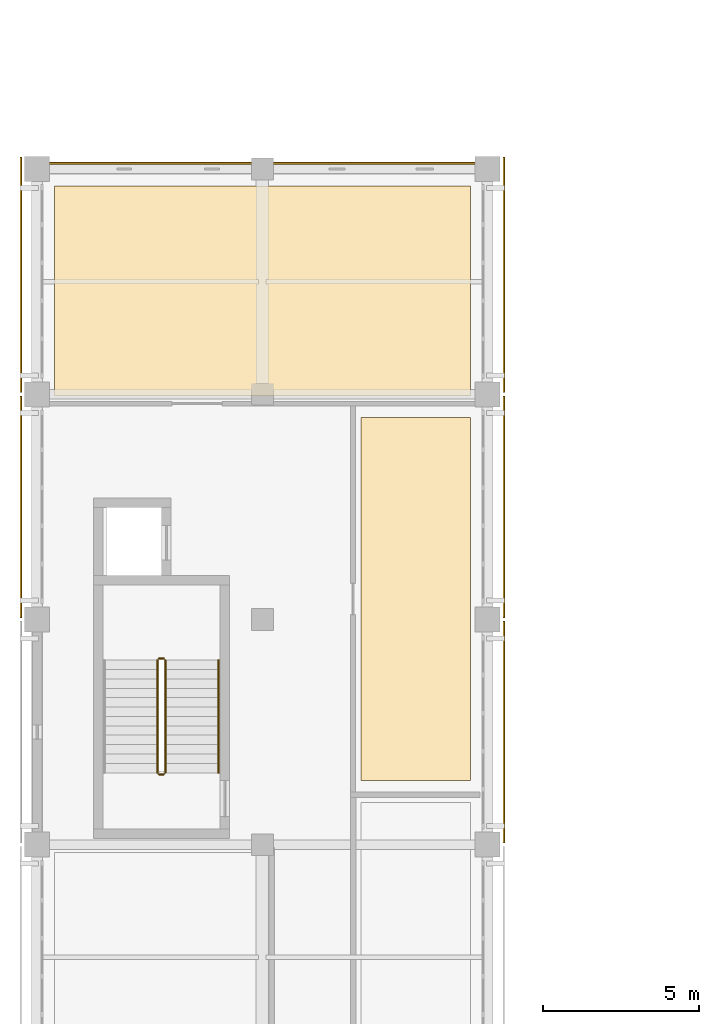
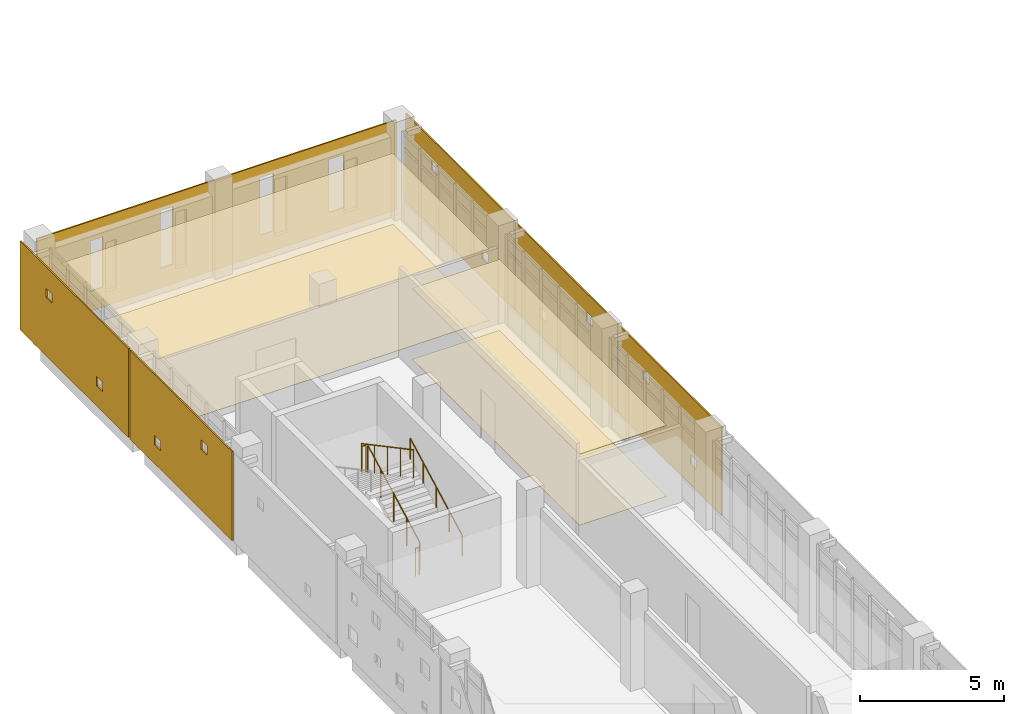
# One storey, part 30 of 33: 10 coverings, 5 railings.
"""IFC4 building model written with IfcOpenShell, lengths in metres."""

from ifc_helpers import new_model, si_unit, direction, frame, origin, origin_2d, place, context, subcontext, project, spatial, polyline, circle, outline, extrude, material, layer, layer_set, type_object, element, save


model = new_model("IFC4")

# Units and contexts
model_context = context("Model", 3, precision=1e-05, world=origin(), true_north=direction((0.0, 1.0)))
body_context = subcontext(model_context, "Body", "Model", "MODEL_VIEW")
ifc_project = project(units=[si_unit("LENGTHUNIT", "METRE"), si_unit("AREAUNIT", "SQUARE_METRE"), si_unit("VOLUMEUNIT", "CUBIC_METRE"), si_unit("PLANEANGLEUNIT", "RADIAN"), si_unit("MASSUNIT", "GRAM", prefix="KILO")], contexts=[model_context])

# Site, building, storey
site_placement = place(None, origin())
site = spatial("IfcSite", under=ifc_project, at=site_placement, CompositionType="ELEMENT")
building_placement = place(site_placement, origin())
building = spatial("IfcBuilding", under=site, at=building_placement, Name="Valkovuoma Quantum and Materials Research Institute", CompositionType="ELEMENT")
storey_placement = place(building_placement, frame((0.0, 0.0, 21.43994140625)))
storey = spatial("IfcBuildingStorey", under=building, at=storey_placement, Name="L05", CompositionType="ELEMENT", Elevation=21.43994140625)

# Coverings
ifc_material_1 = material(Name="Cleanable acoustic mineral-fibre suspended ceiling", Category="masonry")
ifc_layer_1 = layer(ifc_material_1, 0.02490234375)
ifc_layer_set_1 = layer_set([ifc_layer_1], Name="Cleanable acoustic mineral-fibre suspended ceiling")
covering_type_1 = type_object("IfcCoveringType", Name="Cov-CEIL-01", PredefinedType="CEILING", material=ifc_layer_set_1)
covering_1_placement = place(storey_placement, frame((0.0, 0.0, 3.0)))
element("IfcCovering", 1, at=covering_1_placement, inside=storey, type_object=covering_type_1, Name="L05 acoustic ceiling 0122", PredefinedType="CEILING", context=body_context, shape_type="SweptSolid", body=[
    extrude(outline(polyline([(0.550048828125, 86.35009765625), (13.85009765625, 86.35009765625), (13.85009765625, 93.050048828125), (0.550048828125, 93.050048828125), (0.550048828125, 86.35009765625)])), origin(), (0.0, 0.0, 1.0), 0.025146484375),
])
covering_2_placement = place(storey_placement, frame((0.0, 0.0, 3.0)))
element("IfcCovering", 2, at=covering_2_placement, inside=storey, type_object=covering_type_1, Name="L05 acoustic ceiling 0126", PredefinedType="CEILING", context=body_context, shape_type="SweptSolid", body=[
    extrude(outline(polyline([(10.35009765625, 74.050048828125), (13.85009765625, 74.050048828125), (13.85009765625, 85.64990234375), (10.35009765625, 85.64990234375), (10.35009765625, 74.050048828125)])), origin(), (0.0, 0.0, 1.0), 0.025146484375),
])
ifc_material_2 = material(Name="Seamless dissipative laboratory resin flooring", Category="masonry")
ifc_layer_2 = layer(ifc_material_2, 0.014892578125)
ifc_layer_set_2 = layer_set([ifc_layer_2], Name="Seamless dissipative laboratory resin flooring")
covering_type_2 = type_object("IfcCoveringType", Name="Cov-FLOR-01", PredefinedType="FLOORING", material=ifc_layer_set_2)
covering_3_placement = place(storey_placement, origin())
element("IfcCovering", 3, at=covering_3_placement, inside=storey, type_object=covering_type_2, Name="L05 resin flooring 0122", PredefinedType="FLOORING", context=body_context, shape_type="SweptSolid", body=[
    extrude(outline(polyline([(0.550048828125, 86.35009765625), (13.85009765625, 86.35009765625), (13.85009765625, 93.050048828125), (0.550048828125, 93.050048828125), (0.550048828125, 86.35009765625)])), origin(), (0.0, 0.0, 1.0), 0.01513671875),
])
covering_4_placement = place(storey_placement, origin())
element("IfcCovering", 4, at=covering_4_placement, inside=storey, type_object=covering_type_2, Name="L05 resin flooring 0126", PredefinedType="FLOORING", context=body_context, shape_type="SweptSolid", body=[
    extrude(outline(polyline([(10.35009765625, 74.050048828125), (13.85009765625, 74.050048828125), (13.85009765625, 85.64990234375), (10.35009765625, 85.64990234375), (10.35009765625, 74.050048828125)])), origin(), (0.0, 0.0, 1.0), 0.01513671875),
])
ifc_material_3 = material(Name="White powder-coated aluminium architectural panel", Category="aluminium")
ifc_layer_3 = layer(ifc_material_3, 0.054931640625)
ifc_layer_set_3 = layer_set([ifc_layer_3], Name="White powder-coated aluminium architectural panel")
covering_type_3 = type_object("IfcCoveringType", Name="Cov-PERF-SPARSE", PredefinedType="CLADDING", material=ifc_layer_set_3)
covering_5_placement = place(storey_placement, frame((14.919921875, 72.06005859375, 0.02001953125), z_axis=(0.0, 0.0, 1.0), x_axis=(0.0, 1.0, 0.0)))
element("IfcCovering", 5, at=covering_5_placement, inside=storey, type_object=covering_type_3, Name="L05 graduated perforated white screen E-0071", PredefinedType="CLADDING", context=body_context, shape_type="SweptSolid", body=[
    extrude(outline(polyline([(0.0, 0.0), (7.079833984375, 0.0), (7.079833984375, 3.77001953125), (0.0, 3.77001953125), (0.0, 0.0)]), holes=[polyline([(1.7548828125, 0.902587890625), (1.7548828125, 1.302490234375), (2.155029296875, 1.302490234375), (2.155029296875, 0.902587890625), (1.7548828125, 0.902587890625)]), polyline([(5.044921875, 2.517578125), (5.044921875, 2.91748046875), (5.445068359375, 2.91748046875), (5.445068359375, 2.517578125), (5.044921875, 2.517578125)])]), frame((0.0, 0.02734375, 0.0), z_axis=(0.0, -1.0, 0.0), x_axis=(1.0, 0.0, 0.0)), (0.0, 0.0, 1.0), 0.054931640625),
])
for number, where, z_axis, x_axis, name in (
    (6, (-0.52001953125, 79.260009765625, 0.02001953125), (0.0, 0.0, 1.0), (0.0, 1.0, 0.0), "L05 graduated perforated white screen W-0072"),
    (7, (14.919921875, 79.260009765625, 0.02001953125), (0.0, 0.0, 1.0), (0.0, 1.0, 0.0), "L05 graduated perforated white screen E-0073"),
):
    element("IfcCovering", number, at=place(storey_placement, frame(where, z_axis=z_axis, x_axis=x_axis)), inside=storey, type_object=covering_type_3, Name=name, PredefinedType="CLADDING", context=body_context, shape_type="SweptSolid", body=[
        extrude(outline(polyline([(0.0, 0.0), (7.080078125, 0.0), (7.080078125, 3.77001953125), (0.0, 3.77001953125), (0.0, 0.0)]), holes=[polyline([(1.7548828125, 2.5673828125), (1.7548828125, 2.967529296875), (2.155029296875, 2.967529296875), (2.155029296875, 2.5673828125), (1.7548828125, 2.5673828125)]), polyline([(4.985107421875, 0.802490234375), (4.985107421875, 1.202392578125), (5.385009765625, 1.202392578125), (5.385009765625, 0.802490234375), (4.985107421875, 0.802490234375)])]), frame((0.0, 0.02734375, 0.0), z_axis=(0.0, -1.0, 0.0), x_axis=(1.0, 0.0, 0.0)), (0.0, 0.0, 1.0), 0.054931640625),
    ])
for number, where, z_axis, x_axis, name in (
    (8, (-0.52001953125, 86.4599609375, 0.02001953125), (0.0, 0.0, 1.0), (0.0, 1.0, 0.0), "L05 graduated perforated white screen W-0074"),
    (9, (14.919921875, 86.4599609375, 0.02001953125), (0.0, 0.0, 1.0), (0.0, 1.0, 0.0), "L05 graduated perforated white screen E-0075"),
):
    element("IfcCovering", number, at=place(storey_placement, frame(where, z_axis=z_axis, x_axis=x_axis)), inside=storey, type_object=covering_type_3, Name=name, PredefinedType="CLADDING", context=body_context, shape_type="SweptSolid", body=[
        extrude(outline(polyline([(0.0, 0.0), (7.52001953125, 0.0), (7.52001953125, 3.77001953125), (0.0, 3.77001953125), (0.0, 0.0)]), holes=[polyline([(1.804931640625, 0.8525390625), (1.804931640625, 1.25244140625), (2.205078125, 1.25244140625), (2.205078125, 0.8525390625), (1.804931640625, 0.8525390625)]), polyline([(5.31494140625, 2.467529296875), (5.31494140625, 2.867431640625), (5.715087890625, 2.867431640625), (5.715087890625, 2.467529296875), (5.31494140625, 2.467529296875)])]), frame((0.0, 0.02734375, 0.0), z_axis=(0.0, -1.0, 0.0), x_axis=(1.0, 0.0, 0.0)), (0.0, 0.0, 1.0), 0.054931640625),
    ])
ifc_material_4 = material(Name="White powder-coated aluminium architectural panel", Category="aluminium")
ifc_layer_4 = layer(ifc_material_4, 0.054931640625)
ifc_layer_set_4 = layer_set([ifc_layer_4], Name="White powder-coated aluminium architectural panel")
covering_type_4 = type_object("IfcCoveringType", Name="Cov-WHITE-01", PredefinedType="CLADDING", material=ifc_layer_set_4)
covering_6_placement = place(storey_placement, frame((0.0, 93.78759765625, 0.0), z_axis=(0.0, 0.0, 1.0), x_axis=(1.0, 0.0, 0.0)))
element("IfcCovering", 10, at=covering_6_placement, inside=storey, type_object=covering_type_4, Name="L05 north white slot-window end skin", PredefinedType="CLADDING", context=body_context, shape_type="SweptSolid", body=[
    extrude(outline(polyline([(0.0, 0.0), (14.39990234375, 0.0), (14.39990234375, 3.81005859375), (0.0, 3.81005859375), (0.0, 0.0)]), holes=[polyline([(2.155029296875, 0.830078125), (2.155029296875, 2.969970703125), (2.64501953125, 2.969970703125), (2.64501953125, 0.830078125), (2.155029296875, 0.830078125)]), polyline([(4.955078125, 0.830078125), (4.955078125, 3.27001953125), (5.445068359375, 3.27001953125), (5.445068359375, 0.830078125), (4.955078125, 0.830078125)]), polyline([(8.929931640625, 0.830078125), (8.929931640625, 3.27001953125), (9.469970703125, 3.27001953125), (9.469970703125, 0.830078125), (8.929931640625, 0.830078125)]), polyline([(11.705078125, 0.830078125), (11.705078125, 3.070068359375), (12.294921875, 3.070068359375), (12.294921875, 0.830078125), (11.705078125, 0.830078125)])]), frame((0.0, 0.02734375, 0.0), z_axis=(0.0, -1.0, 0.0), x_axis=(1.0, 0.0, 0.0)), (0.0, 0.0, 1.0), 0.054931640625),
])

# Railings
ifc_material_5 = material(Name="Painted steel stair balustrade", Category="steel")
railing_type_1 = type_object("IfcRailingType", Name="Rail-GRD-ST", PredefinedType="BALUSTRADE", material=ifc_material_5)
railing_1_placement = place(storey_placement, frame((4.10009765625, 74.300048828125, 0.16015625)))
element("IfcRailing", 11, at=railing_1_placement, inside=storey, type_object=railing_type_1, Name="L05 ST-2 stair guard 1", PredefinedType="BALUSTRADE", context=body_context, shape_type="SweptSolid", body=[
    extrude(circle(Radius=0.02392578125, at=origin_2d()), frame((0.0, 0.0, 1.17578125), z_axis=(0.0, 0.882352941176, 0.470588235294), x_axis=(-1.0, 0.0, 0.0)), (0.0, 0.0, 1.0), 4.079833984375),
    extrude(circle(Radius=0.02099609375, at=origin_2d()), origin(), (0.0, 0.0, 1.0), 1.15185546875),
    extrude(circle(Radius=0.02099609375, at=origin_2d()), frame((0.0, 0.89990234375, 0.47998046875)), (0.0, 0.0, 1.0), 1.15185546875),
    extrude(circle(Radius=0.02099609375, at=origin_2d()), frame((0.0, 1.7998046875, 0.9599609375)), (0.0, 0.0, 1.0), 1.15185546875),
    extrude(circle(Radius=0.02099609375, at=origin_2d()), frame((0.0, 2.699951171875, 1.43994140625)), (0.0, 0.0, 1.0), 1.15185546875),
    extrude(circle(Radius=0.02099609375, at=origin_2d()), frame((0.0, 3.599853515625, 1.919921875)), (0.0, 0.0, 1.0), 1.15185546875),
])
railing_2_placement = place(storey_placement, frame((4.050048828125, 77.949951171875, 2.080078125)))
element("IfcRailing", 12, at=railing_2_placement, inside=storey, type_object=railing_type_1, Name="L05 ST-2 stair guard 2", PredefinedType="BALUSTRADE", context=body_context, shape_type="SweptSolid", body=[
    extrude(circle(Radius=0.02392578125, at=origin_2d()), frame((0.0, 0.0, 1.17578125), z_axis=(-1.0, 0.0, 0.0), x_axis=(0.0, -1.0, 0.0)), (0.0, 0.0, 1.0), 0.150146484375),
    extrude(circle(Radius=0.02099609375, at=origin_2d()), origin(), (0.0, 0.0, 1.0), 1.15185546875),
    extrude(circle(Radius=0.02099609375, at=origin_2d()), frame((-0.150146484375, 0.0, 0.0)), (0.0, 0.0, 1.0), 1.15185546875),
])
railing_3_placement = place(storey_placement, frame((3.85009765625, 77.89990234375, 2.239990234375)))
element("IfcRailing", 13, at=railing_3_placement, inside=storey, type_object=railing_type_1, Name="L05 ST-2 stair guard 3", PredefinedType="BALUSTRADE", context=body_context, shape_type="SweptSolid", body=[
    extrude(circle(Radius=0.02392578125, at=origin_2d()), frame((0.0, 0.0, 1.17578125), z_axis=(0.0, -0.882328093246, 0.470634822203), x_axis=(1.0, 0.0, 0.0)), (0.0, 0.0, 1.0), 4.079833984375),
    extrude(circle(Radius=0.02099609375, at=origin_2d()), origin(), (0.0, 0.0, 1.0), 1.15185546875),
    extrude(circle(Radius=0.02099609375, at=origin_2d()), frame((0.0, -0.89990234375, 0.47998046875)), (0.0, 0.0, 1.0), 1.15185546875),
    extrude(circle(Radius=0.02099609375, at=origin_2d()), frame((0.0, -1.7998046875, 0.9599609375)), (0.0, 0.0, 1.0), 1.15185546875),
    extrude(circle(Radius=0.02099609375, at=origin_2d()), frame((0.0, -2.699951171875, 1.440185546875)), (0.0, 0.0, 1.0), 1.15185546875),
    extrude(circle(Radius=0.02099609375, at=origin_2d()), frame((0.0, -3.599853515625, 1.920166015625)), (0.0, 0.0, 1.0), 1.15185546875),
])
railing_4_placement = place(storey_placement, frame((4.050048828125, 74.25, 0.0)))
element("IfcRailing", 14, at=railing_4_placement, inside=storey, type_object=railing_type_1, Name="L05 ST-2 stair guard 4", PredefinedType="BALUSTRADE", context=body_context, shape_type="SweptSolid", body=[
    extrude(circle(Radius=0.02392578125, at=origin_2d()), frame((0.0, 0.0, 1.17578125), z_axis=(-1.0, 0.0, 0.0), x_axis=(0.0, -1.0, 0.0)), (0.0, 0.0, 1.0), 0.150146484375),
    extrude(circle(Radius=0.02099609375, at=origin_2d()), origin(), (0.0, 0.0, 1.0), 1.15185546875),
    extrude(circle(Radius=0.02099609375, at=origin_2d()), frame((-0.150146484375, 0.0, 0.0)), (0.0, 0.0, 1.0), 1.15185546875),
])
ifc_material_6 = material(Name="Brushed stainless steel handrail", Category="steel")
railing_type_2 = type_object("IfcRailingType", Name="Rail-HR-ST", PredefinedType="HANDRAIL", material=ifc_material_6)
railing_5_placement = place(storey_placement, frame((5.800048828125, 74.300048828125, 0.16015625)))
element("IfcRailing", 15, at=railing_5_placement, inside=storey, type_object=railing_type_2, Name="L05 ST-2 stair handrail 1", PredefinedType="HANDRAIL", context=body_context, shape_type="SweptSolid", body=[
    extrude(circle(Radius=0.02392578125, at=origin_2d()), frame((0.0, 0.0, 0.8759765625), z_axis=(0.0, 0.882352941176, 0.470588235294), x_axis=(-1.0, 0.0, 0.0)), (0.0, 0.0, 1.0), 4.079833984375),
    extrude(circle(Radius=0.02099609375, at=origin_2d()), origin(), (0.0, 0.0, 1.0), 0.851806640625),
    extrude(circle(Radius=0.02099609375, at=origin_2d()), frame((0.0, 0.89990234375, 0.47998046875)), (0.0, 0.0, 1.0), 0.851806640625),
    extrude(circle(Radius=0.02099609375, at=origin_2d()), frame((0.0, 1.7998046875, 0.9599609375)), (0.0, 0.0, 1.0), 0.851806640625),
    extrude(circle(Radius=0.02099609375, at=origin_2d()), frame((0.0, 2.699951171875, 1.43994140625)), (0.0, 0.0, 1.0), 0.851806640625),
    extrude(circle(Radius=0.02099609375, at=origin_2d()), frame((0.0, 3.599853515625, 1.919921875)), (0.0, 0.0, 1.0), 0.851806640625),
])

save(model, "model.ifc")
